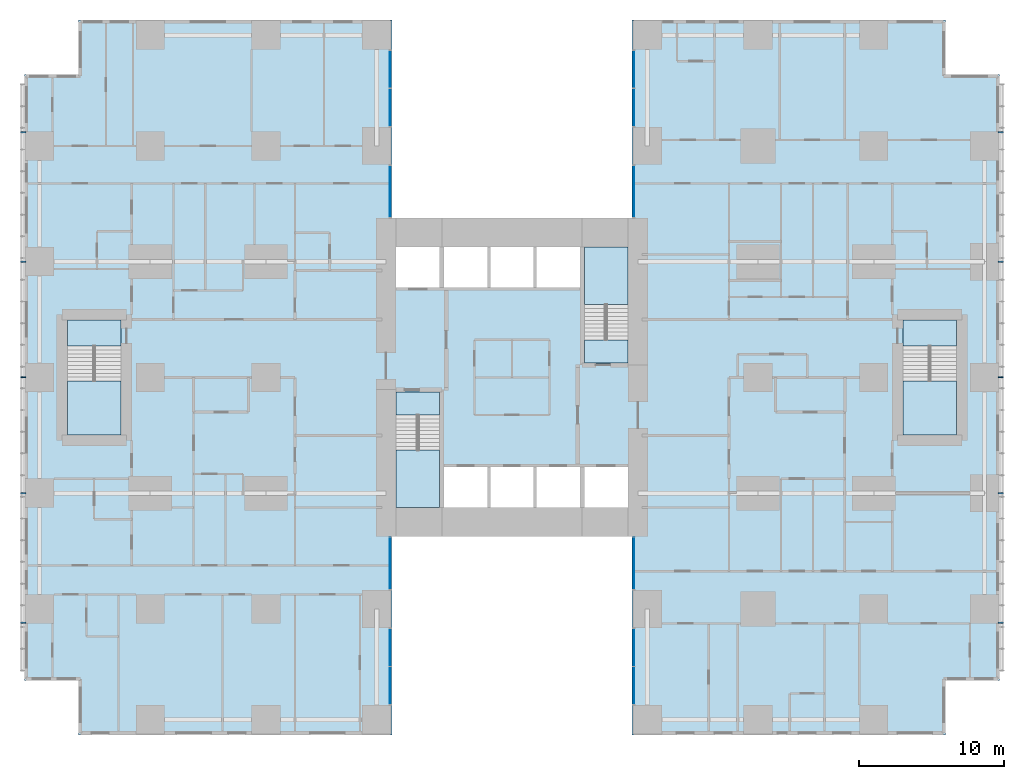
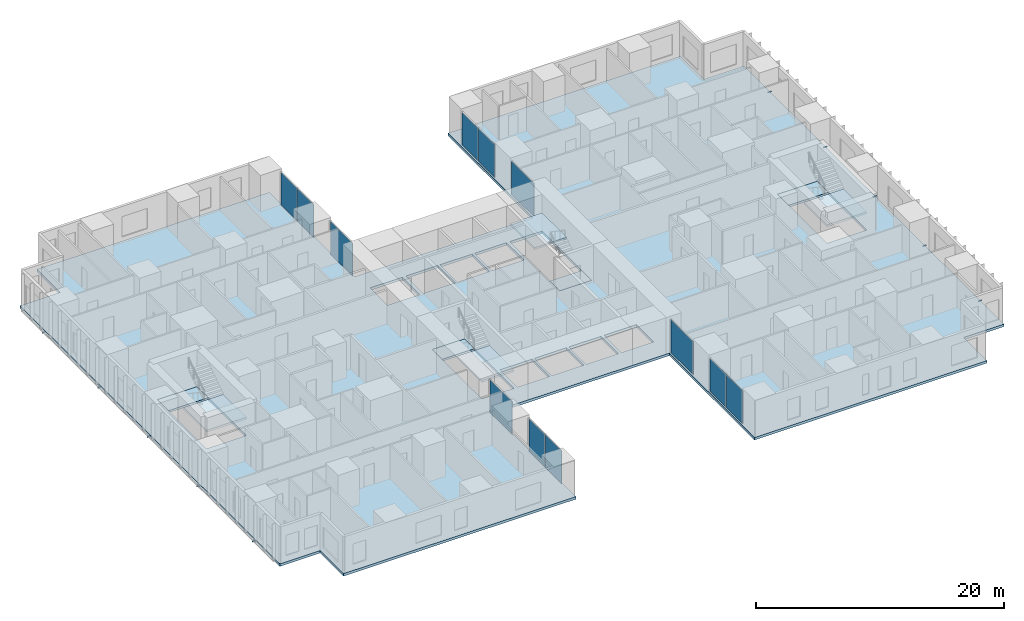
# One storey, part 7 of 20: 12 plates, 10 members, 9 slabs, 12 elements without a shape of their own.
"""IFC4 building model written with IfcOpenShell, lengths in metres."""

from ifc_helpers import new_model, si_unit, direction, frame, origin, origin_2d, place, context, subcontext, project, spatial, polyline, rectangle, hollow_rectangle, outline, extrude, material, layer, layer_set, material_profile, profile_set, type_object, element, aggregate, save


model = new_model("IFC4")

# Units and contexts
model_context = context("Model", 3, precision=1e-05, world=origin(), true_north=direction((0.0, 1.0)))
body_context = subcontext(model_context, "Body", "Model", "MODEL_VIEW")
ifc_project = project(units=[si_unit("LENGTHUNIT", "METRE"), si_unit("AREAUNIT", "SQUARE_METRE"), si_unit("VOLUMEUNIT", "CUBIC_METRE"), si_unit("PLANEANGLEUNIT", "RADIAN"), si_unit("MASSUNIT", "GRAM", prefix="KILO")], contexts=[model_context])

# Site, building, storey
site_placement = place(None, origin())
site = spatial("IfcSite", under=ifc_project, at=site_placement, CompositionType="ELEMENT")
building_placement = place(site_placement, origin())
building = spatial("IfcBuilding", under=site, at=building_placement, Name="Cleftline Residences", CompositionType="ELEMENT")
storey_placement = place(building_placement, frame((0.0, 0.0, 76.39990234375)))
storey = spatial("IfcBuildingStorey", under=building, at=storey_placement, Name="L19", CompositionType="ELEMENT", Elevation=76.39990234375)

# Members
ifc_material_1 = material(Name="Steel S355, hot-dip galvanised", Category="steel")
ifc_material_profile = material_profile(ifc_material_1, hollow_rectangle(XDim=0.10009765625, YDim=0.10009765625, WallThickness=0.008056640625, InnerFilletRadius=0.008056640625, OuterFilletRadius=0.011962890625, at=origin_2d()))
ifc_profile_set = profile_set([ifc_material_profile], Name="Steel S355, hot-dip galvanised")
member_type = type_object("IfcMemberType", Name="BAGUETTE BRACKET SHS 100X100X8", PredefinedType="USERDEFINED", material=ifc_profile_set)
for number, where, z_axis, x_axis, name in (
    (1, (66.60009765625, 7.050048828125, -0.14990234375), (1.0, 0.0, 0.0), (0.0, 1.0, 0.0), "Baguette bracket"),
    (2, (66.60009765625, 16.0, -0.14990234375), (1.0, 0.0, 0.0), (0.0, 1.0, 0.0), "Baguette bracket"),
    (3, (66.60009765625, 24.0, -0.14990234375), (1.0, 0.0, 0.0), (0.0, 1.0, 0.0), "Baguette bracket"),
    (4, (66.60009765625, 32.0, -0.14990234375), (1.0, 0.0, 0.0), (0.0, 1.0, 0.0), "Baguette bracket"),
    (5, (66.60009765625, 40.949951171875, -0.14990234375), (1.0, 0.0, 0.0), (0.0, 1.0, 0.0), "Baguette bracket"),
    (6, (-0.60009765625, 40.949951171875, -0.14990234375), (-1.0, 0.0, 0.0), (0.0, -1.0, 0.0), "Baguette bracket"),
    (7, (-0.60009765625, 32.0, -0.14990234375), (-1.0, 0.0, 0.0), (0.0, -1.0, 0.0), "Baguette bracket"),
    (8, (-0.60009765625, 24.0, -0.14990234375), (-1.0, 0.0, 0.0), (0.0, -1.0, 0.0), "Baguette bracket"),
    (9, (-0.60009765625, 16.0, -0.14990234375), (-1.0, 0.0, 0.0), (0.0, -1.0, 0.0), "Baguette bracket"),
    (10, (-0.60009765625, 7.050048828125, -0.14990234375), (-1.0, 0.0, 0.0), (0.0, -1.0, 0.0), "Baguette bracket"),
):
    element("IfcMember", number, at=place(storey_placement, frame(where, z_axis=z_axis, x_axis=x_axis)), inside=storey, type_object=member_type, Name=name, ObjectType="BAGUETTE BRACKET", PredefinedType="USERDEFINED", context=body_context, shape_type="SweptSolid", body=[
        extrude(hollow_rectangle(XDim=0.10009765625, YDim=0.10009765625, WallThickness=0.008056640625, InnerFilletRadius=0.008056640625, OuterFilletRadius=0.011962890625, at=origin_2d()), origin(), (0.0, 0.0, 1.0), 0.349853515625),
    ])

# Curtain wall, plates
ifc_material_2 = material(Name="Aluminium framed curtain wall", Category="aluminium")
ifc_layer_1 = layer(ifc_material_2, 0.199951171875)
ifc_layer_set_1 = layer_set([ifc_layer_1], Name="CW1 CLEFT GLAZING")
curtain_wall_type = type_object("IfcCurtainWallType", Name="CW1 CLEFT GLAZING", PredefinedType="NOTDEFINED", material=ifc_layer_set_1)
curtain_wall_1_placement = place(storey_placement, origin())
curtain_wall_1 = element("IfcCurtainWall", 11, at=curtain_wall_1_placement, inside=storey, type_object=curtain_wall_type, Name="Curtain wall CW1", PredefinedType="NOTDEFINED")
ifc_material_3 = material(Name="Laminated clear glass", Category="glass")
ifc_layer_2 = layer(ifc_material_3, 0.028076171875)
ifc_layer_set_2 = layer_set([ifc_layer_2], Name="CW1 GLASS PANEL")
plate_type = type_object("IfcPlateType", Name="CW1 GLASS PANEL", PredefinedType="CURTAIN_PANEL", material=ifc_layer_set_2)
plate_1_placement = place(storey_placement, frame((24.574951171875, 2.702392578125, 0.06005859375), z_axis=(0.0, 0.0, 1.0), x_axis=(0.0, 1.0, 0.0)))
plate_1 = element("IfcPlate", 12, at=plate_1_placement, type_object=plate_type, Name="CW1 panel 1.1", PredefinedType="CURTAIN_PANEL", context=body_context, shape_type="SweptSolid", body=[
    extrude(rectangle(XDim=2.5849609375, YDim=0.028076171875, at=origin_2d()), origin(), (0.0, 0.0, 1.0), 3.22998046875),
])
plate_2_placement = place(storey_placement, frame((24.574951171875, 5.347412109375, 0.06005859375), z_axis=(0.0, 0.0, 1.0), x_axis=(0.0, 1.0, 0.0)))
plate_2 = element("IfcPlate", 13, at=plate_2_placement, type_object=plate_type, Name="CW1 panel 2.1", PredefinedType="CURTAIN_PANEL", context=body_context, shape_type="SweptSolid", body=[
    extrude(rectangle(XDim=2.5849609375, YDim=0.028076171875, at=origin_2d()), origin(), (0.0, 0.0, 1.0), 3.22998046875),
])
aggregate(curtain_wall_1, [plate_1, plate_2])

# Curtain wall, plate
curtain_wall_2_placement = place(storey_placement, origin())
curtain_wall_2 = element("IfcCurtainWall", 14, at=curtain_wall_2_placement, inside=storey, type_object=curtain_wall_type, Name="Curtain wall CW1", PredefinedType="NOTDEFINED")
plate_3_placement = place(storey_placement, frame((24.574951171875, 11.14990234375, 0.06005859375), z_axis=(0.0, 0.0, 1.0), x_axis=(0.0, 1.0, 0.0)))
plate_3 = element("IfcPlate", 15, at=plate_3_placement, type_object=plate_type, Name="CW1 panel 1.1", PredefinedType="CURTAIN_PANEL", context=body_context, shape_type="SweptSolid", body=[
    extrude(rectangle(XDim=3.580078125, YDim=0.028076171875, at=origin_2d()), origin(), (0.0, 0.0, 1.0), 3.22998046875),
])
aggregate(curtain_wall_2, [plate_3])

curtain_wall_3_placement = place(storey_placement, origin())
curtain_wall_3 = element("IfcCurtainWall", 16, at=curtain_wall_3_placement, inside=storey, type_object=curtain_wall_type, Name="Curtain wall CW1", PredefinedType="NOTDEFINED")
plate_4_placement = place(storey_placement, frame((41.425048828125, 11.14990234375, 0.06005859375), z_axis=(0.0, 0.0, 1.0), x_axis=(0.0, -1.0, 0.0)))
plate_4 = element("IfcPlate", 17, at=plate_4_placement, type_object=plate_type, Name="CW1 panel 1.1", PredefinedType="CURTAIN_PANEL", context=body_context, shape_type="SweptSolid", body=[
    extrude(rectangle(XDim=3.580078125, YDim=0.028076171875, at=origin_2d()), origin(), (0.0, 0.0, 1.0), 3.22998046875),
])
aggregate(curtain_wall_3, [plate_4])

# Curtain wall, plates
curtain_wall_4_placement = place(storey_placement, origin())
curtain_wall_4 = element("IfcCurtainWall", 18, at=curtain_wall_4_placement, inside=storey, type_object=curtain_wall_type, Name="Curtain wall CW1", PredefinedType="NOTDEFINED")
plate_5_placement = place(storey_placement, frame((41.425048828125, 5.347412109375, 0.06005859375), z_axis=(0.0, 0.0, 1.0), x_axis=(0.0, -1.0, 0.0)))
plate_5 = element("IfcPlate", 19, at=plate_5_placement, type_object=plate_type, Name="CW1 panel 1.1", PredefinedType="CURTAIN_PANEL", context=body_context, shape_type="SweptSolid", body=[
    extrude(rectangle(XDim=2.5849609375, YDim=0.028076171875, at=origin_2d()), origin(), (0.0, 0.0, 1.0), 3.22998046875),
])
plate_6_placement = place(storey_placement, frame((41.425048828125, 2.702392578125, 0.06005859375), z_axis=(0.0, 0.0, 1.0), x_axis=(0.0, -1.0, 0.0)))
plate_6 = element("IfcPlate", 20, at=plate_6_placement, type_object=plate_type, Name="CW1 panel 2.1", PredefinedType="CURTAIN_PANEL", context=body_context, shape_type="SweptSolid", body=[
    extrude(rectangle(XDim=2.5849609375, YDim=0.028076171875, at=origin_2d()), origin(), (0.0, 0.0, 1.0), 3.22998046875),
])
aggregate(curtain_wall_4, [plate_5, plate_6])

curtain_wall_5_placement = place(storey_placement, origin())
curtain_wall_5 = element("IfcCurtainWall", 21, at=curtain_wall_5_placement, inside=storey, type_object=curtain_wall_type, Name="Curtain wall CW1", PredefinedType="NOTDEFINED")
plate_7_placement = place(storey_placement, frame((41.425048828125, 45.297607421875, 0.06005859375), z_axis=(0.0, 0.0, 1.0), x_axis=(0.0, -1.0, 0.0)))
plate_7 = element("IfcPlate", 22, at=plate_7_placement, type_object=plate_type, Name="CW1 panel 1.1", PredefinedType="CURTAIN_PANEL", context=body_context, shape_type="SweptSolid", body=[
    extrude(rectangle(XDim=2.5849609375, YDim=0.028076171875, at=origin_2d()), origin(), (0.0, 0.0, 1.0), 3.22998046875),
])
plate_8_placement = place(storey_placement, frame((41.425048828125, 42.652587890625, 0.06005859375), z_axis=(0.0, 0.0, 1.0), x_axis=(0.0, -1.0, 0.0)))
plate_8 = element("IfcPlate", 23, at=plate_8_placement, type_object=plate_type, Name="CW1 panel 2.1", PredefinedType="CURTAIN_PANEL", context=body_context, shape_type="SweptSolid", body=[
    extrude(rectangle(XDim=2.5849609375, YDim=0.028076171875, at=origin_2d()), origin(), (0.0, 0.0, 1.0), 3.22998046875),
])
aggregate(curtain_wall_5, [plate_7, plate_8])

# Curtain wall, plate
curtain_wall_6_placement = place(storey_placement, origin())
curtain_wall_6 = element("IfcCurtainWall", 24, at=curtain_wall_6_placement, inside=storey, type_object=curtain_wall_type, Name="Curtain wall CW1", PredefinedType="NOTDEFINED")
plate_9_placement = place(storey_placement, frame((41.425048828125, 36.85009765625, 0.06005859375), z_axis=(0.0, 0.0, 1.0), x_axis=(0.0, -1.0, 0.0)))
plate_9 = element("IfcPlate", 25, at=plate_9_placement, type_object=plate_type, Name="CW1 panel 1.1", PredefinedType="CURTAIN_PANEL", context=body_context, shape_type="SweptSolid", body=[
    extrude(rectangle(XDim=3.580078125, YDim=0.028076171875, at=origin_2d()), origin(), (0.0, 0.0, 1.0), 3.22998046875),
])
aggregate(curtain_wall_6, [plate_9])

curtain_wall_7_placement = place(storey_placement, origin())
curtain_wall_7 = element("IfcCurtainWall", 26, at=curtain_wall_7_placement, inside=storey, type_object=curtain_wall_type, Name="Curtain wall CW1", PredefinedType="NOTDEFINED")
plate_10_placement = place(storey_placement, frame((24.574951171875, 36.85009765625, 0.06005859375), z_axis=(0.0, 0.0, 1.0), x_axis=(0.0, 1.0, 0.0)))
plate_10 = element("IfcPlate", 27, at=plate_10_placement, type_object=plate_type, Name="CW1 panel 1.1", PredefinedType="CURTAIN_PANEL", context=body_context, shape_type="SweptSolid", body=[
    extrude(rectangle(XDim=3.580078125, YDim=0.028076171875, at=origin_2d()), origin(), (0.0, 0.0, 1.0), 3.22998046875),
])
aggregate(curtain_wall_7, [plate_10])

# Curtain wall, plates
curtain_wall_8_placement = place(storey_placement, origin())
curtain_wall_8 = element("IfcCurtainWall", 28, at=curtain_wall_8_placement, inside=storey, type_object=curtain_wall_type, Name="Curtain wall CW1", PredefinedType="NOTDEFINED")
plate_11_placement = place(storey_placement, frame((24.574951171875, 42.652587890625, 0.06005859375), z_axis=(0.0, 0.0, 1.0), x_axis=(0.0, 1.0, 0.0)))
plate_11 = element("IfcPlate", 29, at=plate_11_placement, type_object=plate_type, Name="CW1 panel 1.1", PredefinedType="CURTAIN_PANEL", context=body_context, shape_type="SweptSolid", body=[
    extrude(rectangle(XDim=2.5849609375, YDim=0.028076171875, at=origin_2d()), origin(), (0.0, 0.0, 1.0), 3.22998046875),
])
plate_12_placement = place(storey_placement, frame((24.574951171875, 45.297607421875, 0.06005859375), z_axis=(0.0, 0.0, 1.0), x_axis=(0.0, 1.0, 0.0)))
plate_12 = element("IfcPlate", 30, at=plate_12_placement, type_object=plate_type, Name="CW1 panel 2.1", PredefinedType="CURTAIN_PANEL", context=body_context, shape_type="SweptSolid", body=[
    extrude(rectangle(XDim=2.5849609375, YDim=0.028076171875, at=origin_2d()), origin(), (0.0, 0.0, 1.0), 3.22998046875),
])
aggregate(curtain_wall_8, [plate_11, plate_12])

# Slab
ifc_material_4 = material(Name="Concrete B45", Category="concrete")
ifc_layer_3 = layer(ifc_material_4, 0.25)
ifc_layer_set_3 = layer_set([ifc_layer_3], Name="FLOOR SLAB 250")
slab_type_1 = type_object("IfcSlabType", Name="FLOOR SLAB 250", PredefinedType="FLOOR", material=ifc_layer_set_3)
slab_1_placement = place(storey_placement, frame((0.0, 0.0, -0.25)))
element("IfcSlab", 31, at=slab_1_placement, inside=storey, type_object=slab_type_1, Name="Floor slab L19", PredefinedType="FLOOR", context=body_context, shape_type="SweptSolid", body=[
    extrude(outline(polyline([(24.699951171875, 13.0), (41.300048828125, 13.0), (41.300048828125, -0.699951171875), (62.949951171875, -0.699951171875), (62.949951171875, 3.050048828125), (66.699951171875, 3.050048828125), (66.699951171875, 44.949951171875), (62.949951171875, 44.949951171875), (62.949951171875, 48.699951171875), (41.300048828125, 48.699951171875), (41.300048828125, 35.0), (24.699951171875, 35.0), (24.699951171875, 48.699951171875), (3.050048828125, 48.699951171875), (3.050048828125, 44.949951171875), (-0.699951171875, 44.949951171875), (-0.699951171875, 3.050048828125), (3.050048828125, 3.050048828125), (3.050048828125, -0.699951171875), (24.699951171875, -0.699951171875), (24.699951171875, 13.0)]), holes=[polyline([(28.0, 15.0), (28.0, 23.0), (25.0, 23.0), (25.0, 15.0), (28.0, 15.0)]), polyline([(41.0, 25.0), (41.0, 33.0), (38.0, 33.0), (38.0, 25.0), (41.0, 25.0)]), polyline([(28.0, 30.199951171875), (28.0, 33.0), (25.0, 33.0), (25.0, 30.199951171875), (28.0, 30.199951171875)]), polyline([(41.0, 15.0), (41.0, 17.800048828125), (38.0, 17.800048828125), (38.0, 15.0), (41.0, 15.0)]), polyline([(31.300048828125, 15.0), (31.300048828125, 17.800048828125), (28.300048828125, 17.800048828125), (28.300048828125, 15.0), (31.300048828125, 15.0)]), polyline([(34.5, 15.0), (34.5, 17.800048828125), (31.5, 17.800048828125), (31.5, 15.0), (34.5, 15.0)]), polyline([(37.699951171875, 15.0), (37.699951171875, 17.800048828125), (34.699951171875, 17.800048828125), (34.699951171875, 15.0), (37.699951171875, 15.0)]), polyline([(31.300048828125, 30.199951171875), (31.300048828125, 33.0), (28.300048828125, 33.0), (28.300048828125, 30.199951171875), (31.300048828125, 30.199951171875)]), polyline([(34.5, 30.199951171875), (34.5, 33.0), (31.5, 33.0), (31.5, 30.199951171875), (34.5, 30.199951171875)]), polyline([(37.699951171875, 30.199951171875), (37.699951171875, 33.0), (34.699951171875, 33.0), (34.699951171875, 30.199951171875), (37.699951171875, 30.199951171875)]), polyline([(63.72509765625, 20.02490234375), (63.72509765625, 27.97509765625), (60.02490234375, 27.97509765625), (60.02490234375, 20.02490234375), (63.72509765625, 20.02490234375)]), polyline([(5.97509765625, 20.02490234375), (5.97509765625, 27.97509765625), (2.27490234375, 27.97509765625), (2.27490234375, 20.02490234375), (5.97509765625, 20.02490234375)])]), origin(), (0.0, 0.0, 1.0), 0.25),
])

# Stair, slabs
ifc_material_5 = material(Name="Concrete B45, stone treads", Category="masonry")
stair_type_1 = type_object("IfcStairType", Name="STAIR A 1450 WIDE 180 RISER", PredefinedType="HALF_TURN_STAIR", material=ifc_material_5)
stair_1_placement = place(storey_placement, origin())
stair_1 = element("IfcStair", 32, at=stair_1_placement, inside=storey, type_object=stair_type_1, Name="Stair A L19", PredefinedType="HALF_TURN_STAIR")
ifc_material_6 = material(Name="Concrete B45", Category="concrete")
ifc_layer_4 = layer(ifc_material_6, 0.199951171875)
ifc_layer_set_4 = layer_set([ifc_layer_4], Name="STAIR LANDING 200")
slab_type_2 = type_object("IfcSlabType", Name="STAIR LANDING 200", PredefinedType="LANDING", material=ifc_layer_set_4)
slab_2_placement = place(storey_placement, frame((0.0, 0.0, -0.199951171875)))
slab_2 = element("IfcSlab", 33, at=slab_2_placement, type_object=slab_type_2, Name="ST-A landing 1", PredefinedType="LANDING", context=body_context, shape_type="SweptSolid", body=[
    extrude(outline(polyline([(25.0, 21.39990234375), (28.0, 21.39990234375), (28.0, 23.0), (25.0, 23.0), (25.0, 21.39990234375)])), origin(), (0.0, 0.0, 1.0), 0.199951171875),
])
slab_3_placement = place(storey_placement, frame((0.0, 0.0, 1.60009765625)))
slab_3 = element("IfcSlab", 34, at=slab_3_placement, type_object=slab_type_2, Name="ST-A landing 2", PredefinedType="LANDING", context=body_context, shape_type="SweptSolid", body=[
    extrude(outline(polyline([(25.0, 15.0), (28.0, 15.0), (28.0, 18.969970703125), (25.0, 18.969970703125), (25.0, 15.0)])), origin(), (0.0, 0.0, 1.0), 0.199951171875),
])
aggregate(stair_1, [slab_2, slab_3])

ifc_material_7 = material(Name="Concrete B45, stone treads", Category="masonry")
stair_type_2 = type_object("IfcStairType", Name="STAIR B 1450 WIDE 180 RISER", PredefinedType="HALF_TURN_STAIR", material=ifc_material_7)
stair_2_placement = place(storey_placement, origin())
stair_2 = element("IfcStair", 35, at=stair_2_placement, inside=storey, type_object=stair_type_2, Name="Stair B L19", PredefinedType="HALF_TURN_STAIR")
slab_4_placement = place(storey_placement, frame((0.0, 0.0, -0.199951171875)))
slab_4 = element("IfcSlab", 36, at=slab_4_placement, type_object=slab_type_2, Name="ST-B landing 1", PredefinedType="LANDING", context=body_context, shape_type="SweptSolid", body=[
    extrude(outline(polyline([(38.0, 25.0), (41.0, 25.0), (41.0, 26.60009765625), (38.0, 26.60009765625), (38.0, 25.0)])), origin(), (0.0, 0.0, 1.0), 0.199951171875),
])
slab_5_placement = place(storey_placement, frame((0.0, 0.0, 1.60009765625)))
slab_5 = element("IfcSlab", 37, at=slab_5_placement, type_object=slab_type_2, Name="ST-B landing 2", PredefinedType="LANDING", context=body_context, shape_type="SweptSolid", body=[
    extrude(outline(polyline([(38.0, 29.030029296875), (41.0, 29.030029296875), (41.0, 33.0), (38.0, 33.0), (38.0, 29.030029296875)])), origin(), (0.0, 0.0, 1.0), 0.199951171875),
])
aggregate(stair_2, [slab_4, slab_5])

ifc_material_8 = material(Name="Concrete B45, stone treads", Category="masonry")
stair_type_3 = type_object("IfcStairType", Name="STAIR E 1800 WIDE 180 RISER", PredefinedType="HALF_TURN_STAIR", material=ifc_material_8)
stair_3_placement = place(storey_placement, origin())
stair_3 = element("IfcStair", 38, at=stair_3_placement, inside=storey, type_object=stair_type_3, Name="Stair E L19", PredefinedType="HALF_TURN_STAIR")
slab_6_placement = place(storey_placement, frame((0.0, 0.0, -0.199951171875)))
slab_6 = element("IfcSlab", 39, at=slab_6_placement, type_object=slab_type_2, Name="ST-E landing 1", PredefinedType="LANDING", context=body_context, shape_type="SweptSolid", body=[
    extrude(outline(polyline([(60.02490234375, 26.175048828125), (63.72509765625, 26.175048828125), (63.72509765625, 27.97509765625), (60.02490234375, 27.97509765625), (60.02490234375, 26.175048828125)])), origin(), (0.0, 0.0, 1.0), 0.199951171875),
])
slab_7_placement = place(storey_placement, frame((0.0, 0.0, 1.60009765625)))
slab_7 = element("IfcSlab", 40, at=slab_7_placement, type_object=slab_type_2, Name="ST-E landing 2", PredefinedType="LANDING", context=body_context, shape_type="SweptSolid", body=[
    extrude(outline(polyline([(60.02490234375, 20.02490234375), (63.72509765625, 20.02490234375), (63.72509765625, 23.7451171875), (60.02490234375, 23.7451171875), (60.02490234375, 20.02490234375)])), origin(), (0.0, 0.0, 1.0), 0.199951171875),
])
aggregate(stair_3, [slab_6, slab_7])

ifc_material_9 = material(Name="Concrete B45, stone treads", Category="masonry")
stair_type_4 = type_object("IfcStairType", Name="STAIR W 1800 WIDE 180 RISER", PredefinedType="HALF_TURN_STAIR", material=ifc_material_9)
stair_4_placement = place(storey_placement, origin())
stair_4 = element("IfcStair", 41, at=stair_4_placement, inside=storey, type_object=stair_type_4, Name="Stair W L19", PredefinedType="HALF_TURN_STAIR")
slab_8_placement = place(storey_placement, frame((0.0, 0.0, -0.199951171875)))
slab_8 = element("IfcSlab", 42, at=slab_8_placement, type_object=slab_type_2, Name="ST-W landing 1", PredefinedType="LANDING", context=body_context, shape_type="SweptSolid", body=[
    extrude(outline(polyline([(2.27490234375, 26.175048828125), (5.97509765625, 26.175048828125), (5.97509765625, 27.97509765625), (2.27490234375, 27.97509765625), (2.27490234375, 26.175048828125)])), origin(), (0.0, 0.0, 1.0), 0.199951171875),
])
slab_9_placement = place(storey_placement, frame((0.0, 0.0, 1.60009765625)))
slab_9 = element("IfcSlab", 43, at=slab_9_placement, type_object=slab_type_2, Name="ST-W landing 2", PredefinedType="LANDING", context=body_context, shape_type="SweptSolid", body=[
    extrude(outline(polyline([(2.27490234375, 20.02490234375), (5.97509765625, 20.02490234375), (5.97509765625, 23.7451171875), (2.27490234375, 23.7451171875), (2.27490234375, 20.02490234375)])), origin(), (0.0, 0.0, 1.0), 0.199951171875),
])
aggregate(stair_4, [slab_8, slab_9])

save(model, "model.ifc")
